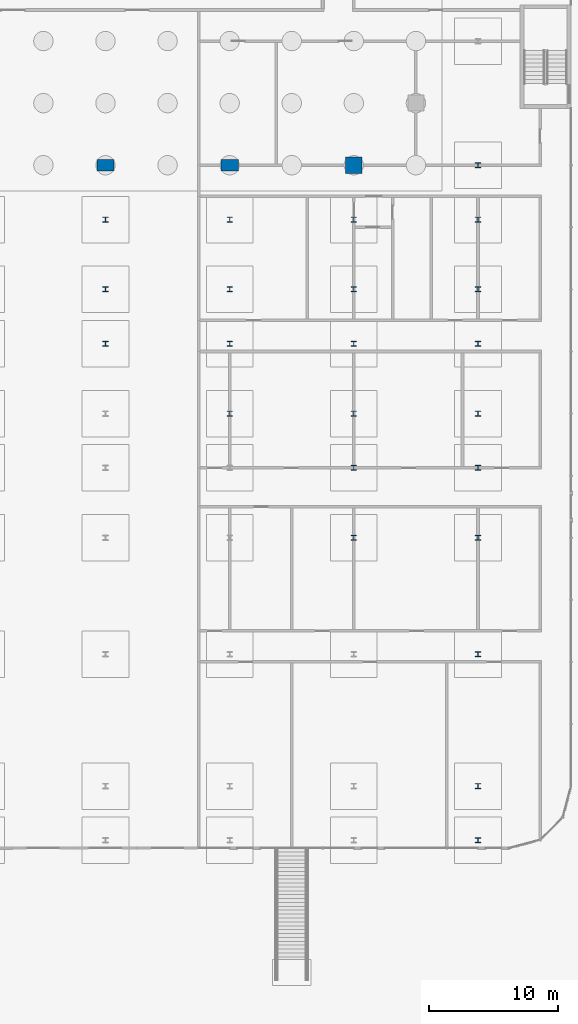
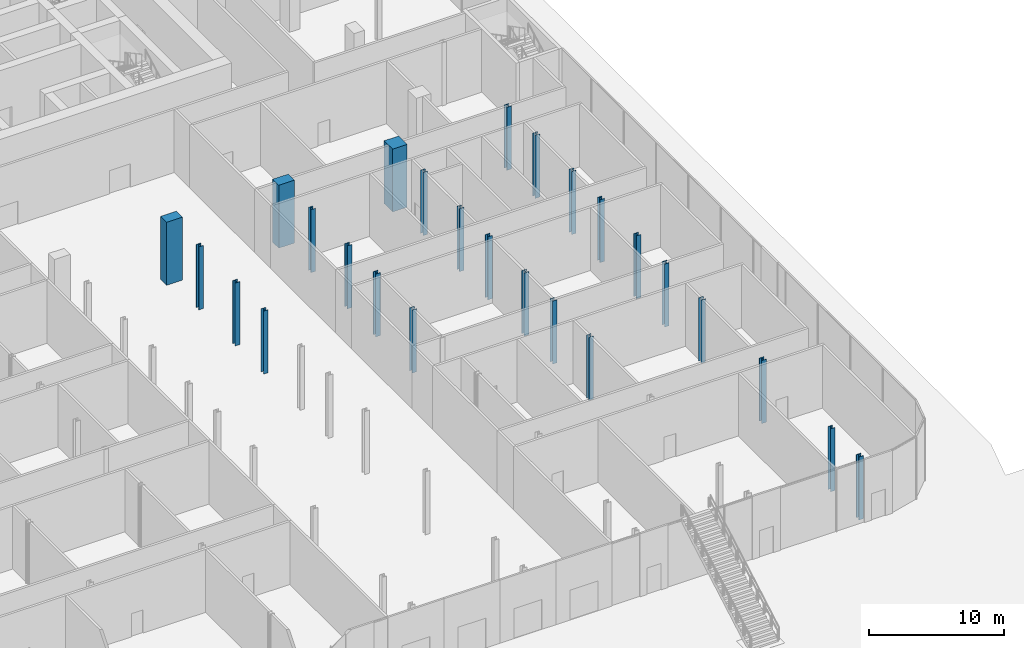
# One storey, part 5 of 44: 26 columns.
"""IFC4 building model written with IfcOpenShell, lengths in metres."""

from ifc_helpers import new_model, si_unit, direction, frame, origin, origin_2d, place, context, subcontext, project, spatial, rectangle, i_section, extrude, material, material_profile, profile_set, type_object, element, save


model = new_model("IFC4")

# Units and contexts
model_context = context("Model", 3, precision=1e-05, world=origin(), true_north=direction((0.0, 1.0)))
body_context = subcontext(model_context, "Body", "Model", "MODEL_VIEW")
ifc_project = project(units=[si_unit("LENGTHUNIT", "METRE"), si_unit("AREAUNIT", "SQUARE_METRE"), si_unit("VOLUMEUNIT", "CUBIC_METRE"), si_unit("PLANEANGLEUNIT", "RADIAN"), si_unit("MASSUNIT", "GRAM", prefix="KILO")], contexts=[model_context])

# Site, building, storey
site_placement = place(None, origin())
site = spatial("IfcSite", under=ifc_project, at=site_placement, CompositionType="ELEMENT")
building_placement = place(site_placement, origin())
building = spatial("IfcBuilding", under=site, at=building_placement, Name="Madar Terraces", CompositionType="ELEMENT")
storey_placement = place(building_placement, origin())
storey = spatial("IfcBuildingStorey", under=building, at=storey_placement, Name="L00", CompositionType="ELEMENT", Elevation=0.0)

# Columns
ifc_material_1 = material(Name="Concrete C80/95", Category="concrete")
ifc_material_profile_1 = material_profile(ifc_material_1, rectangle(XDim=1.35009765625, YDim=0.89990234375, at=origin_2d()), Name="CC1 RC 1350x900")
ifc_profile_set_1 = profile_set([ifc_material_profile_1], Name="Concrete C80/95")
column_type_1 = type_object("IfcColumnType", Name="CC1 RC 1350x900", PredefinedType="COLUMN", material=ifc_profile_set_1)
for number, where, z_axis, x_axis, name in (
    (1, (33.60009765625, 0.0, 0.0), (0.0, 0.0, 1.0), (1.0, 0.0, 0.0), "Perimeter column S4"),
    (2, (43.199951171875, 0.0, 0.0), (0.0, 0.0, 1.0), (1.0, 0.0, 0.0), "Perimeter column S5"),
):
    element("IfcColumn", number, at=place(storey_placement, frame(where, z_axis=z_axis, x_axis=x_axis)), inside=storey, type_object=column_type_1, Name=name, PredefinedType="COLUMN", context=body_context, shape_type="SweptSolid", body=[
        extrude(rectangle(XDim=1.35009765625, YDim=0.89990234375, at=origin_2d()), origin(), (0.0, 0.0, 1.0), 5.699951171875),
    ])
ifc_material_2 = material(Name="Concrete C80/95", Category="concrete")
ifc_material_profile_2 = material_profile(ifc_material_2, rectangle(XDim=1.25, YDim=1.25, at=origin_2d()), Name="KC1 RC 1250x1250")
ifc_profile_set_2 = profile_set([ifc_material_profile_2], Name="Concrete C80/95")
column_type_2 = type_object("IfcColumnType", Name="KC1 RC 1250x1250", PredefinedType="COLUMN", material=ifc_profile_set_2)
column_placement = place(storey_placement, frame((52.800048828125, 0.0, 0.0), z_axis=(0.0, 0.0, 1.0), x_axis=(1.0, 0.0, 0.0)))
element("IfcColumn", 3, at=column_placement, inside=storey, type_object=column_type_2, Name="Perimeter column S6", PredefinedType="COLUMN", context=body_context, shape_type="SweptSolid", body=[
    extrude(rectangle(XDim=1.25, YDim=1.25, at=origin_2d()), origin(), (0.0, 0.0, 1.0), 5.699951171875),
])
ifc_material_3 = material(Name="Steel ASTM A992 Grade 50", Category="steel")
ifc_material_profile_3 = material_profile(ifc_material_3, i_section(OverallWidth=0.396240234375, OverallDepth=0.381103515625, WebThickness=0.01904296875, FlangeThickness=0.0302734375, at=origin_2d()), Name="W14x159")
ifc_profile_set_3 = profile_set([ifc_material_profile_3], Name="Steel ASTM A992 Grade 50")
column_type_3 = type_object("IfcColumnType", Name="PC2 W14x159", PredefinedType="COLUMN", material=ifc_profile_set_3)
for number, where, z_axis, x_axis, name in (
    (4, (33.60009765625, -13.800048828125, 0.0), (0.0, 0.0, 1.0), (1.0, 0.0, 0.0), "Podium column PC2"),
    (5, (33.60009765625, -9.60009765625, 0.0), (0.0, 0.0, 1.0), (1.0, 0.0, 0.0), "Podium column PC2"),
    (6, (33.60009765625, -4.199951171875, 0.0), (0.0, 0.0, 1.0), (1.0, 0.0, 0.0), "Podium column PC2"),
    (7, (43.199951171875, -19.199951171875, 0.0), (0.0, 0.0, 1.0), (1.0, 0.0, 0.0), "Podium column PC2"),
    (8, (43.199951171875, -13.800048828125, 0.0), (0.0, 0.0, 1.0), (1.0, 0.0, 0.0), "Podium column PC2"),
    (9, (43.199951171875, -9.60009765625, 0.0), (0.0, 0.0, 1.0), (1.0, 0.0, 0.0), "Podium column PC2"),
    (10, (43.199951171875, -4.199951171875, 0.0), (0.0, 0.0, 1.0), (1.0, 0.0, 0.0), "Podium column PC2"),
    (11, (52.800048828125, -28.800048828125, 0.0), (0.0, 0.0, 1.0), (1.0, 0.0, 0.0), "Podium column PC2"),
    (12, (52.800048828125, -23.39990234375, 0.0), (0.0, 0.0, 1.0), (1.0, 0.0, 0.0), "Podium column PC2"),
    (13, (52.800048828125, -19.199951171875, 0.0), (0.0, 0.0, 1.0), (1.0, 0.0, 0.0), "Podium column PC2"),
    (14, (52.800048828125, -13.800048828125, 0.0), (0.0, 0.0, 1.0), (1.0, 0.0, 0.0), "Podium column PC2"),
    (15, (52.800048828125, -9.60009765625, 0.0), (0.0, 0.0, 1.0), (1.0, 0.0, 0.0), "Podium column PC2"),
    (16, (52.800048828125, -4.199951171875, 0.0), (0.0, 0.0, 1.0), (1.0, 0.0, 0.0), "Podium column PC2"),
    (17, (62.39990234375, -52.199951171875, 0.0), (0.0, 0.0, 1.0), (1.0, 0.0, 0.0), "Podium column PC2"),
    (18, (62.39990234375, -48.0, 0.0), (0.0, 0.0, 1.0), (1.0, 0.0, 0.0), "Podium column PC2"),
    (19, (62.39990234375, -37.800048828125, 0.0), (0.0, 0.0, 1.0), (1.0, 0.0, 0.0), "Podium column PC2"),
    (20, (62.39990234375, -28.800048828125, 0.0), (0.0, 0.0, 1.0), (1.0, 0.0, 0.0), "Podium column PC2"),
    (21, (62.39990234375, -23.39990234375, 0.0), (0.0, 0.0, 1.0), (1.0, 0.0, 0.0), "Podium column PC2"),
    (22, (62.39990234375, -19.199951171875, 0.0), (0.0, 0.0, 1.0), (1.0, 0.0, 0.0), "Podium column PC2"),
    (23, (62.39990234375, -13.800048828125, 0.0), (0.0, 0.0, 1.0), (1.0, 0.0, 0.0), "Podium column PC2"),
    (24, (62.39990234375, -9.60009765625, 0.0), (0.0, 0.0, 1.0), (1.0, 0.0, 0.0), "Podium column PC2"),
    (25, (62.39990234375, -4.199951171875, 0.0), (0.0, 0.0, 1.0), (1.0, 0.0, 0.0), "Podium column PC2"),
    (26, (62.39990234375, 0.0, 0.0), (0.0, 0.0, 1.0), (1.0, 0.0, 0.0), "Podium column PC2"),
):
    element("IfcColumn", number, at=place(storey_placement, frame(where, z_axis=z_axis, x_axis=x_axis)), inside=storey, type_object=column_type_3, Name=name, PredefinedType="COLUMN", context=body_context, shape_type="SweptSolid", body=[
        extrude(i_section(OverallWidth=0.396240234375, OverallDepth=0.381103515625, WebThickness=0.01904296875, FlangeThickness=0.0302734375, at=origin_2d()), origin(), (0.0, 0.0, 1.0), 5.699951171875),
    ])

save(model, "model.ifc")
